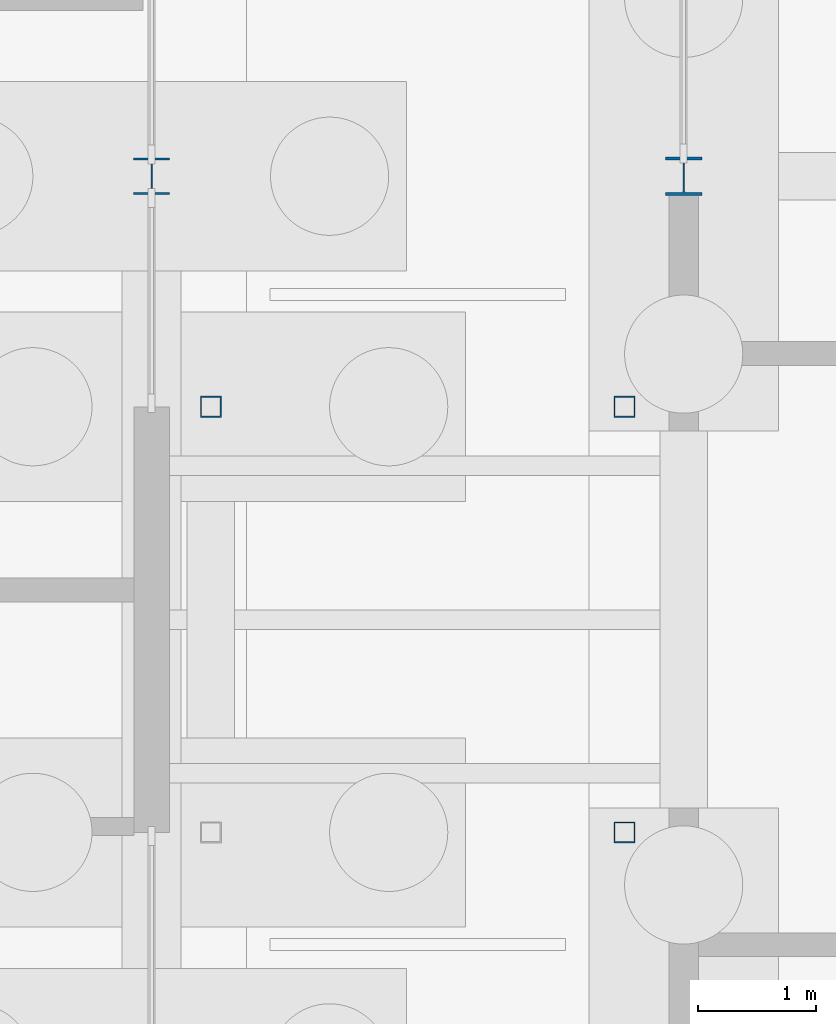
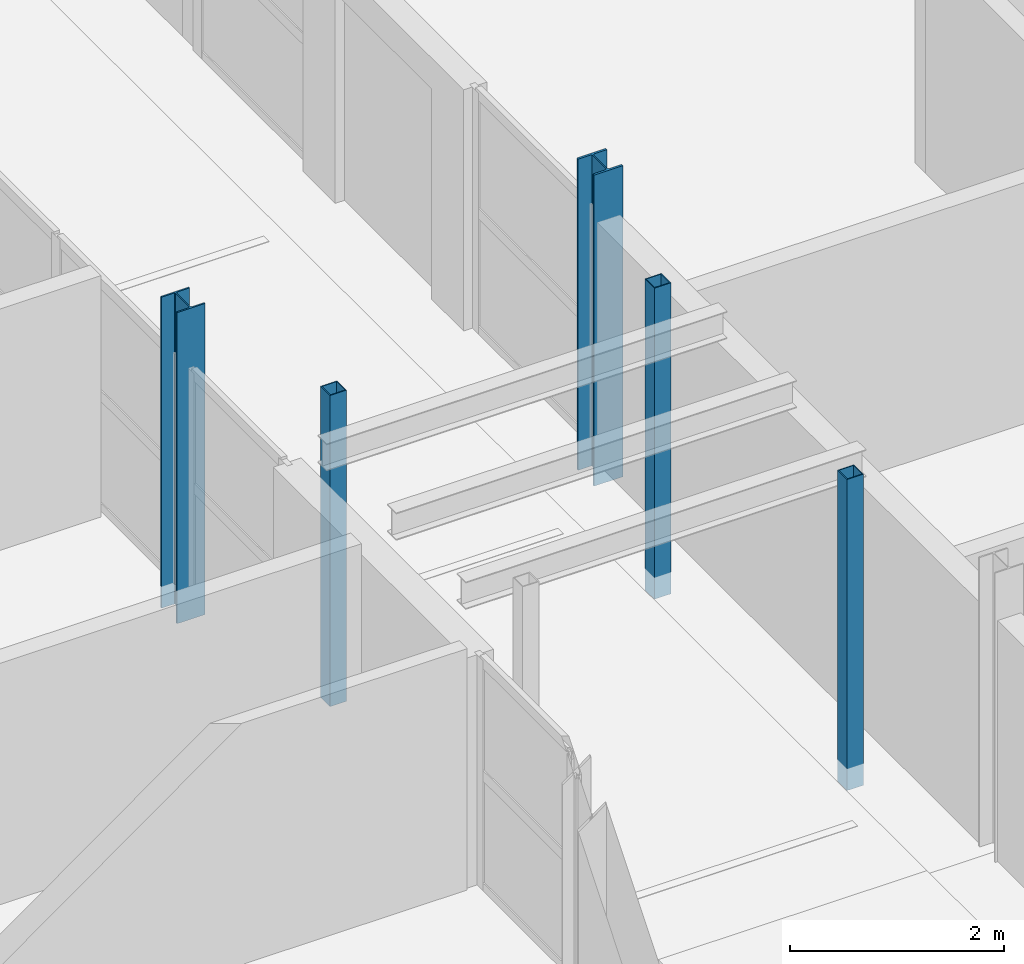
# One storey, part 19 of 130: 5 columns.
"""IFC4 building model written with IfcOpenShell, lengths in metres."""

from ifc_helpers import new_model, si_unit, direction, frame, origin, origin_2d, place, context, subcontext, project, spatial, hollow_rectangle, i_section, extrude, material, material_profile, profile_set, type_object, element, save


model = new_model("IFC4")

# Units and contexts
model_context = context("Model", 3, precision=1e-05, world=origin(), true_north=direction((0.0, 1.0)))
body_context = subcontext(model_context, "Body", "Model", "MODEL_VIEW")
ifc_project = project(units=[si_unit("LENGTHUNIT", "METRE"), si_unit("AREAUNIT", "SQUARE_METRE"), si_unit("VOLUMEUNIT", "CUBIC_METRE"), si_unit("PLANEANGLEUNIT", "RADIAN"), si_unit("MASSUNIT", "GRAM", prefix="KILO")], contexts=[model_context])

# Site, building, storey
site_placement = place(None, origin())
site = spatial("IfcSite", under=ifc_project, at=site_placement, CompositionType="ELEMENT")
building_placement = place(site_placement, origin())
building = spatial("IfcBuilding", under=site, at=building_placement, Name="Parallax Yard Mobility Hub", CompositionType="ELEMENT")
storey_placement = place(building_placement, origin())
storey = spatial("IfcBuildingStorey", under=building, at=storey_placement, Name="L00", CompositionType="ELEMENT", Elevation=0.0)

# Columns
ifc_material_1 = material(Name="Steel ASTM A500 Gr C", Category="steel")
ifc_material_profile_1 = material_profile(ifc_material_1, hollow_rectangle(XDim=0.177734375, YDim=0.177734375, WallThickness=0.009521484375, at=origin_2d()), Name="HSS178x178x9.5")
ifc_profile_set_1 = profile_set([ifc_material_profile_1], Name="Steel ASTM A500 Gr C")
column_type_1 = type_object("IfcColumnType", Name="Roof column HSS178x178x9.5", PredefinedType="COLUMN", material=ifc_profile_set_1)
for number, where, z_axis, x_axis, name in (
    (1, (97.0, 31.949951171875, -0.25), (0.0, 0.0, 1.0), (1.0, 0.0, 0.0), "Bridge BR1 level L01 roof pier 2 at y 31.95 level L00"),
    (2, (93.5, 35.550048828125, -0.25), (0.0, 0.0, 1.0), (1.0, 0.0, 0.0), "Bridge BR1 level L01 roof pier 1 at y 35.55 level L00"),
    (3, (97.0, 35.550048828125, -0.25), (0.0, 0.0, 1.0), (1.0, 0.0, 0.0), "Bridge BR1 level L01 roof pier 2 at y 35.55 level L00"),
):
    element("IfcColumn", number, at=place(storey_placement, frame(where, z_axis=z_axis, x_axis=x_axis)), inside=storey, type_object=column_type_1, Name=name, PredefinedType="COLUMN", context=body_context, shape_type="SweptSolid", body=[
        extrude(hollow_rectangle(XDim=0.177734375, YDim=0.177734375, WallThickness=0.009521484375, at=origin_2d()), origin(), (0.0, 0.0, 1.0), 3.550048828125),
    ])
ifc_material_2 = material(Name="Steel ASTM A992", Category="steel")
ifc_material_profile_2 = material_profile(ifc_material_2, i_section(OverallWidth=0.31005859375, OverallDepth=0.322998046875, WebThickness=0.013916015625, FlangeThickness=0.02294921875, FilletRadius=0.01513671875, at=origin_2d()), Name="W310x143")
ifc_profile_set_2 = profile_set([ifc_material_profile_2], Name="Steel ASTM A992")
column_type_2 = type_object("IfcColumnType", Name="W310x143 column", PredefinedType="COLUMN", material=ifc_profile_set_2)
column_1_placement = place(storey_placement, frame((97.5, 37.5, -0.25), z_axis=(0.0, 0.0, 1.0), x_axis=(1.0, 0.0, 0.0)))
element("IfcColumn", 4, at=column_1_placement, inside=storey, type_object=column_type_2, Name="Column C5 level L00 at F/14 of mobility service centre and workshops", PredefinedType="COLUMN", context=body_context, shape_type="SweptSolid", body=[
    extrude(i_section(OverallWidth=0.31005859375, OverallDepth=0.322998046875, WebThickness=0.013916015625, FlangeThickness=0.02294921875, FilletRadius=0.01513671875, at=origin_2d()), origin(), (0.0, 0.0, 1.0), 3.550048828125),
])
ifc_material_profile_3 = material_profile(ifc_material_2, i_section(OverallWidth=0.304931640625, OverallDepth=0.306884765625, WebThickness=0.010009765625, FlangeThickness=0.015380859375, FilletRadius=0.01513671875, at=origin_2d()), Name="W310x97")
ifc_profile_set_3 = profile_set([ifc_material_profile_3], Name="Steel ASTM A992")
column_type_3 = type_object("IfcColumnType", Name="W310x97 column", PredefinedType="COLUMN", material=ifc_profile_set_3)
column_2_placement = place(storey_placement, frame((93.0, 37.5, -0.25), z_axis=(0.0, 0.0, 1.0), x_axis=(1.0, 0.0, 0.0)))
element("IfcColumn", 5, at=column_2_placement, inside=storey, type_object=column_type_3, Name="Column C1 level L00 at F15/F of bus and taxi deck", PredefinedType="COLUMN", context=body_context, shape_type="SweptSolid", body=[
    extrude(i_section(OverallWidth=0.304931640625, OverallDepth=0.306884765625, WebThickness=0.010009765625, FlangeThickness=0.015380859375, FilletRadius=0.01513671875, at=origin_2d()), origin(), (0.0, 0.0, 1.0), 3.550048828125),
])

save(model, "model.ifc")
